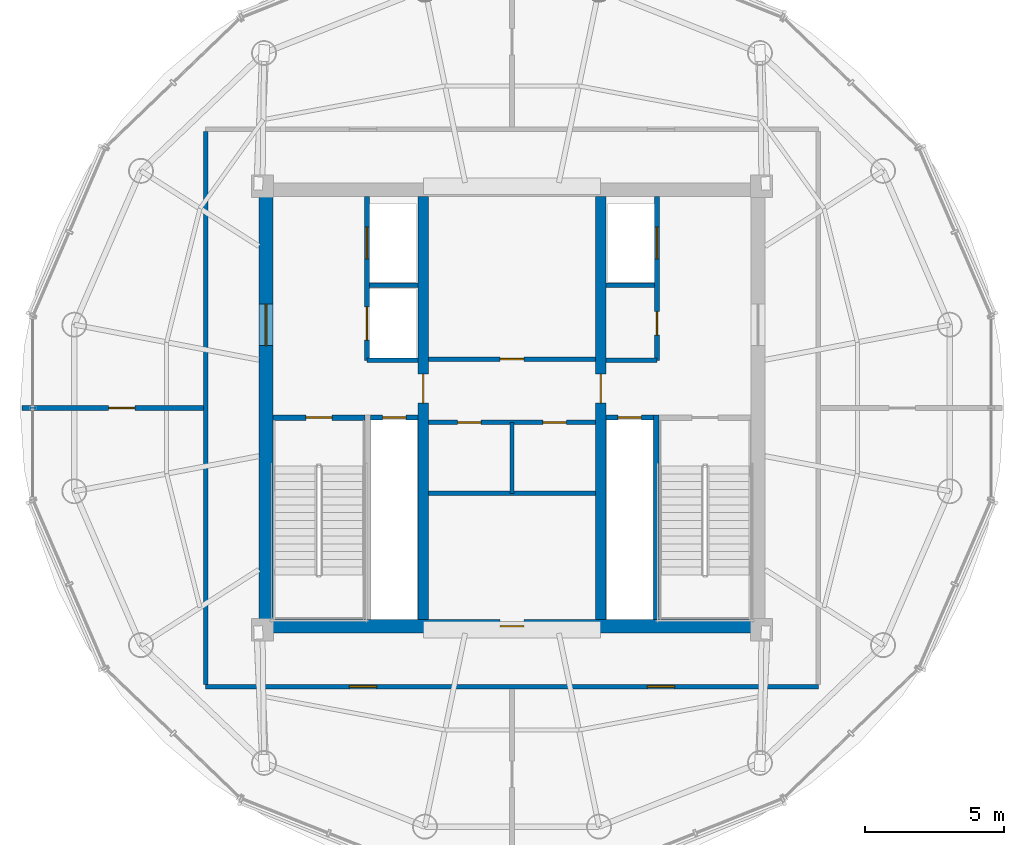
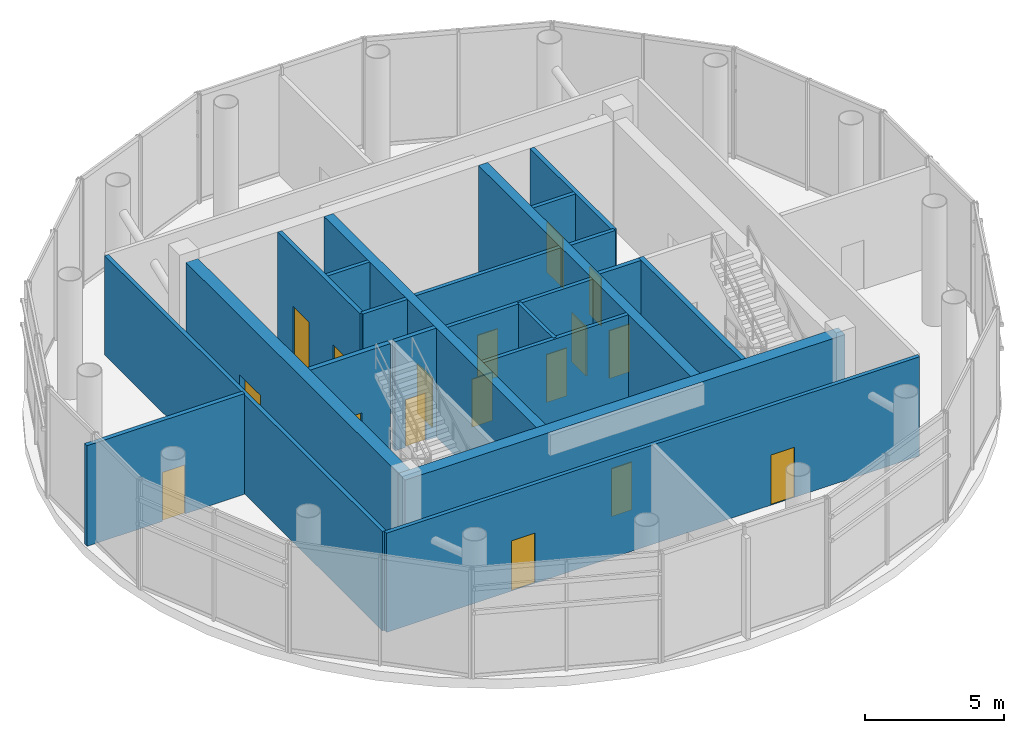
# One storey, part 12 of 15: 21 walls, 17 doors, 17 openings.
"""IFC4 building model written with IfcOpenShell, lengths in metres."""

from ifc_helpers import new_model, si_unit, direction, frame, frame_2d, origin, place, context, subcontext, project, spatial, rectangle, extrude, source, transform, mapped, material, layer, layer_set, type_object, element, fill, save


model = new_model("IFC4")

# Units and contexts
model_context = context("Model", 3, precision=1e-05, world=origin(), true_north=direction((-0.2419218956, 0.970295726276)))
body_context = subcontext(model_context, "Body", "Model", "MODEL_VIEW")
ifc_project = project(units=[si_unit("LENGTHUNIT", "METRE"), si_unit("AREAUNIT", "SQUARE_METRE"), si_unit("VOLUMEUNIT", "CUBIC_METRE"), si_unit("PLANEANGLEUNIT", "RADIAN"), si_unit("MASSUNIT", "GRAM", prefix="KILO")], contexts=[model_context])

# Site, building, storey
site_placement = place(None, origin())
site = spatial("IfcSite", under=ifc_project, at=site_placement, CompositionType="ELEMENT")
building_placement = place(site_placement, origin())
building = spatial("IfcBuilding", under=site, at=building_placement, Name="Cobrevalo Terracotta Tower", CompositionType="ELEMENT")
storey_placement = place(building_placement, frame((0.0, 0.0, 311.300048828125)))
storey = spatial("IfcBuildingStorey", under=building, at=storey_placement, Name="L81", CompositionType="ELEMENT", Elevation=311.300048828125)

# Wall, opening, door
ifc_material_1 = material(Name="Concrete C50", Category="concrete")
ifc_layer_1 = layer(ifc_material_1, 0.5)
ifc_layer_set_1 = layer_set([ifc_layer_1], Name="Concrete C50")
wall_type_1 = type_object("IfcWallType", Name="Crown core shear wall 500 mm Concrete C50", PredefinedType="SHEAR", material=ifc_layer_set_1)
wall_1_placement = place(storey_placement, frame((28.875, 18.925048828125, 0.0), z_axis=(0.0, 0.0, 1.0), x_axis=(1.0, 0.0, 0.0)))
wall_1 = element("IfcWall", 1, at=wall_1_placement, inside=storey, type_object=wall_type_1, Name="L81 south core shear wall", PredefinedType="SHEAR", context=body_context, shape_type="SweptSolid", body=[
    extrude(rectangle(XDim=18.25, YDim=0.5, at=frame_2d((9.125, 0.0))), origin(), (0.0, 0.0, 1.0), 4.780029296875),
])
opening_1_placement = place(wall_1_placement, frame((8.699951171875, 0.0, 0.0)))
opening_1 = element("IfcOpeningElement", 2, at=opening_1_placement, cuts=wall_1, Name="Opening ID-22", PredefinedType="OPENING", context=body_context, shape_type="SweptSolid", body=[
    extrude(rectangle(XDim=0.85009765625, YDim=2.10009765625, at=frame_2d((0.425048828125, 1.050048828125))), frame((0.0, 0.260009765625, 0.0), z_axis=(0.0, -1.0, 0.0), x_axis=(1.0, 0.0, 0.0)), (0.0, 0.0, 1.0), 0.52001953125),
])
ifc_material_2 = material(Name="Powder-coated steel", Category="steel")
door_type_1 = type_object("IfcDoorType", Name="Riser shaft & meter closet fire access door 850x2100 EI 60", OperationType="NOTDEFINED", PredefinedType="DOOR", material=ifc_material_2)
shared_shape_1 = source(origin(), body_context, "Body", "SweptSolid", [
    extrude(rectangle(XDim=0.85009765625, YDim=2.10009765625, at=frame_2d((0.425048828125, 1.050048828125))), frame((0.0, 0.02490234375, 0.0), z_axis=(0.0, -1.0, 0.0), x_axis=(1.0, 0.0, 0.0)), (0.0, 0.0, 1.0), 0.050048828125),
])
door_1_placement = place(opening_1_placement, origin())
door_1 = element("IfcDoor", 3, at=door_1_placement, inside=storey, type_object=door_type_1, Name="L81 core south plant door Crown Smoke Extract Fan Plant", OperationType="SINGLE_SWING_RIGHT", OverallHeight=2.10009765625, OverallWidth=0.85009765625, PredefinedType="DOOR", context=body_context, shape_type="MappedRepresentation", body=[
    mapped(shared_shape_1, transform((0.0, 0.0, 0.0), scale=1.0)),
])
fill(opening_1, door_1)

wall_2_placement = place(storey_placement, frame((29.125, 19.175048828125, 0.0), z_axis=(0.0, 0.0, 1.0), x_axis=(0.0, 1.0, 0.0)))
wall_2 = element("IfcWall", 4, at=wall_2_placement, inside=storey, type_object=wall_type_1, Name="L81 west core shear wall", PredefinedType="SHEAR", context=body_context, shape_type="SweptSolid", body=[
    extrude(rectangle(XDim=15.25, YDim=0.5, at=frame_2d((7.625, 0.0))), origin(), (0.0, 0.0, 1.0), 4.780029296875),
])
opening_2_placement = place(wall_2_placement, frame((9.875, 0.0, 0.0)))
opening_2 = element("IfcOpeningElement", 5, at=opening_2_placement, cuts=wall_2, Name="Opening ID-14", PredefinedType="OPENING", context=body_context, shape_type="SweptSolid", body=[
    extrude(rectangle(XDim=1.5, YDim=2.199951171875, at=frame_2d((0.75, 1.10009765625))), frame((0.0, 0.260009765625, 0.0), z_axis=(0.0, -1.0, 0.0), x_axis=(1.0, 0.0, 0.0)), (0.0, 0.0, 1.0), 0.52001953125),
])
ifc_material_3 = material(Name="Galvanized fire-rated steel", Category="steel")
door_type_2 = type_object("IfcDoorType", Name="Core cross-lobby double fire door 1500x2200 EI 90", OperationType="NOTDEFINED", PredefinedType="DOOR", material=ifc_material_3)
shared_shape_2 = source(origin(), body_context, "Body", "SweptSolid", [
    extrude(rectangle(XDim=1.5, YDim=2.199951171875, at=frame_2d((0.75, 1.10009765625))), frame((0.0, 0.02490234375, 0.0), z_axis=(0.0, -1.0, 0.0), x_axis=(1.0, 0.0, 0.0)), (0.0, 0.0, 1.0), 0.050048828125),
])
door_2_placement = place(opening_2_placement, origin())
door_2 = element("IfcDoor", 6, at=door_2_placement, inside=storey, type_object=door_type_2, Name="L81 west firefighting lobby entrance door", OperationType="DOUBLE_DOOR_SINGLE_SWING", OverallHeight=2.199951171875, OverallWidth=1.5, PredefinedType="DOOR", context=body_context, shape_type="MappedRepresentation", body=[
    mapped(shared_shape_2, transform((0.0, 0.0, 0.0), scale=1.0)),
])
fill(opening_2, door_2)

# Walls
ifc_material_4 = material(Name="Gypsum board on steel stud", Category="steel")
ifc_layer_2 = layer(ifc_material_4, 0.159912109375)
ifc_layer_set_2 = layer_set([ifc_layer_2], Name="Gypsum board on steel stud")
wall_type_2 = type_object("IfcWallType", Name="Fire-rated corridor acoustic partition wall 160 mm", PredefinedType="PARTITIONING", material=ifc_layer_set_2)
wall_3_placement = place(storey_placement, frame((32.860107421875, 31.219970703125, 0.0), z_axis=(0.0, 0.0, 1.0), x_axis=(1.0, 0.0, 0.0)))
element("IfcWall", 7, at=wall_3_placement, inside=storey, type_object=wall_type_2, Name="L81 interior partition IW-L81-FF1-M", PredefinedType="PARTITIONING", context=body_context, shape_type="SweptSolid", body=[
    extrude(rectangle(XDim=1.75, YDim=0.159912109375, at=frame_2d((0.875, 0.0))), origin(), (0.0, 0.0, 1.0), 4.780029296875),
])
wall_4_placement = place(storey_placement, frame((32.77001953125, 28.52001953125, 0.0), z_axis=(0.0, 0.0, 1.0), x_axis=(1.0, 0.0, 0.0)))
element("IfcWall", 8, at=wall_4_placement, inside=storey, type_object=wall_type_2, Name="L81 interior partition IW-L81-FF1-S", PredefinedType="PARTITIONING", context=body_context, shape_type="SweptSolid", body=[
    extrude(rectangle(XDim=1.840087890625, YDim=0.159912109375, at=frame_2d((0.919921875, 0.0))), origin(), (0.0, 0.0, 1.0), 4.780029296875),
])
wall_5_placement = place(storey_placement, frame((41.389892578125, 31.219970703125, 0.0), z_axis=(0.0, 0.0, 1.0), x_axis=(1.0, 0.0, 0.0)))
element("IfcWall", 9, at=wall_5_placement, inside=storey, type_object=wall_type_2, Name="L81 interior partition IW-L81-FF2-M", PredefinedType="PARTITIONING", context=body_context, shape_type="SweptSolid", body=[
    extrude(rectangle(XDim=1.75, YDim=0.159912109375, at=frame_2d((0.875, 0.0))), origin(), (0.0, 0.0, 1.0), 4.780029296875),
])
wall_6_placement = place(storey_placement, frame((41.389892578125, 28.52001953125, 0.0), z_axis=(0.0, 0.0, 1.0), x_axis=(1.0, 0.0, 0.0)))
element("IfcWall", 10, at=wall_6_placement, inside=storey, type_object=wall_type_2, Name="L81 interior partition IW-L81-FF2-S", PredefinedType="PARTITIONING", context=body_context, shape_type="SweptSolid", body=[
    extrude(rectangle(XDim=1.840087890625, YDim=0.159912109375, at=frame_2d((0.919921875, 0.0))), origin(), (0.0, 0.0, 1.0), 4.780029296875),
])

# Wall, opening, door
wall_7_placement = place(storey_placement, frame((34.989990234375, 28.56005859375, 0.0), z_axis=(0.0, 0.0, 1.0), x_axis=(1.0, 0.0, 0.0)))
wall_7 = element("IfcWall", 11, at=wall_7_placement, inside=storey, type_object=wall_type_2, Name="L81 interior partition IW-L81-LB-S", PredefinedType="PARTITIONING", context=body_context, shape_type="SweptSolid", body=[
    extrude(rectangle(XDim=6.02001953125, YDim=0.159912109375, at=frame_2d((3.010009765625, 0.0))), origin(), (0.0, 0.0, 1.0), 4.780029296875),
])
opening_3_placement = place(wall_7_placement, frame((2.5849609375, 0.0, 0.0)))
opening_3 = element("IfcOpeningElement", 12, at=opening_3_placement, cuts=wall_7, Name="Opening ID-22", PredefinedType="OPENING", context=body_context, shape_type="SweptSolid", body=[
    extrude(rectangle(XDim=0.85009765625, YDim=2.10009765625, at=frame_2d((0.425048828125, 1.050048828125))), frame((0.0, 0.08984375, 0.0), z_axis=(0.0, -1.0, 0.0), x_axis=(1.0, 0.0, 0.0)), (0.0, 0.0, 1.0), 0.179931640625),
])
door_3_placement = place(opening_3_placement, origin())
door_3 = element("IfcDoor", 13, at=door_3_placement, inside=storey, type_object=door_type_1, Name="L81 core service door Crown HV Switchroom Plant", OperationType="SINGLE_SWING_LEFT", OverallHeight=2.10009765625, OverallWidth=0.85009765625, PredefinedType="DOOR", context=body_context, shape_type="MappedRepresentation", body=[
    mapped(shared_shape_1, transform((0.0, 0.0, 0.0), scale=1.0)),
])
fill(opening_3, door_3)

# Wall, openings, doors
wall_8_placement = place(storey_placement, frame((34.989990234375, 26.280029296875, 0.0), z_axis=(0.0, 0.0, 1.0), x_axis=(1.0, 0.0, 0.0)))
wall_8 = element("IfcWall", 14, at=wall_8_placement, inside=storey, type_object=wall_type_2, Name="L81 interior partition IW-L81-MB-N", PredefinedType="PARTITIONING", context=body_context, shape_type="SweptSolid", body=[
    extrude(rectangle(XDim=6.02001953125, YDim=0.159912109375, at=frame_2d((3.010009765625, 0.0))), origin(), (0.0, 0.0, 1.0), 4.780029296875),
])
opening_4_placement = place(wall_8_placement, frame((1.044921875, 0.0, 0.0)))
opening_4 = element("IfcOpeningElement", 15, at=opening_4_placement, cuts=wall_8, Name="Opening ID-22", PredefinedType="OPENING", context=body_context, shape_type="SweptSolid", body=[
    extrude(rectangle(XDim=0.85009765625, YDim=2.10009765625, at=frame_2d((0.425048828125, 1.050048828125))), frame((0.0, 0.08984375, 0.0), z_axis=(0.0, -1.0, 0.0), x_axis=(1.0, 0.0, 0.0)), (0.0, 0.0, 1.0), 0.179931640625),
])
opening_5_placement = place(wall_8_placement, frame((4.125, 0.0, 0.0)))
opening_5 = element("IfcOpeningElement", 16, at=opening_5_placement, cuts=wall_8, Name="Opening ID-22", PredefinedType="OPENING", context=body_context, shape_type="SweptSolid", body=[
    extrude(rectangle(XDim=0.85009765625, YDim=2.10009765625, at=frame_2d((0.425048828125, 1.050048828125))), frame((0.0, 0.08984375, 0.0), z_axis=(0.0, -1.0, 0.0), x_axis=(1.0, 0.0, 0.0)), (0.0, 0.0, 1.0), 0.179931640625),
])
door_4_placement = place(opening_4_placement, frame((0.85009765625, 0.0, 0.0), z_axis=(0.0, 0.0, 1.0), x_axis=(-1.0, 0.0, 0.0)))
door_4 = element("IfcDoor", 17, at=door_4_placement, inside=storey, type_object=door_type_1, Name="L81 core room door Crown Chilled Water Pump Plant", OperationType="SINGLE_SWING_RIGHT", OverallHeight=2.10009765625, OverallWidth=0.85009765625, PredefinedType="DOOR", context=body_context, shape_type="MappedRepresentation", body=[
    mapped(shared_shape_1, transform((0.0, 0.0, 0.0), scale=1.0)),
])
fill(opening_4, door_4)
door_5_placement = place(opening_5_placement, frame((0.85009765625, 0.0, 0.0), z_axis=(0.0, 0.0, 1.0), x_axis=(-1.0, 0.0, 0.0)))
door_5 = element("IfcDoor", 18, at=door_5_placement, inside=storey, type_object=door_type_1, Name="L81 core room door Crown Lift Motor Mechanical Plant", OperationType="SINGLE_SWING_RIGHT", OverallHeight=2.10009765625, OverallWidth=0.85009765625, PredefinedType="DOOR", context=body_context, shape_type="MappedRepresentation", body=[
    mapped(shared_shape_1, transform((0.0, 0.0, 0.0), scale=1.0)),
])
fill(opening_5, door_5)

# Wall
wall_9_placement = place(storey_placement, frame((34.989990234375, 23.719970703125, 0.0), z_axis=(0.0, 0.0, 1.0), x_axis=(1.0, 0.0, 0.0)))
element("IfcWall", 19, at=wall_9_placement, inside=storey, type_object=wall_type_2, Name="L81 interior partition IW-L81-MB-S", PredefinedType="PARTITIONING", context=body_context, shape_type="SweptSolid", body=[
    extrude(rectangle(XDim=6.02001953125, YDim=0.159912109375, at=frame_2d((3.010009765625, 0.0))), origin(), (0.0, 0.0, 1.0), 4.780029296875),
])

# Wall, openings, doors
wall_10_placement = place(storey_placement, frame((26.945068359375, 16.7451171875, 0.0), z_axis=(0.0, 0.0, 1.0), x_axis=(1.0, 0.0, 0.0)))
wall_10 = element("IfcWall", 20, at=wall_10_placement, inside=storey, type_object=wall_type_2, Name="L81 interior partition IW-L81-COR-S", PredefinedType="PARTITIONING", context=body_context, shape_type="SweptSolid", body=[
    extrude(rectangle(XDim=22.10986328125, YDim=0.159912109375, at=frame_2d((11.054931640625, 0.0))), origin(), (0.0, 0.0, 1.0), 4.35205078125),
])
opening_6_placement = place(wall_10_placement, frame((5.18701171875, 0.0, 0.0)))
opening_6 = element("IfcOpeningElement", 21, at=opening_6_placement, cuts=wall_10, Name="Opening ID-05", PredefinedType="OPENING", context=body_context, shape_type="SweptSolid", body=[
    extrude(rectangle(XDim=0.97998046875, YDim=2.199951171875, at=frame_2d((0.489990234375, 1.10009765625))), frame((0.0, 0.08984375, 0.0), z_axis=(0.0, -1.0, 0.0), x_axis=(1.0, 0.0, 0.0)), (0.0, 0.0, 1.0), 0.179931640625),
])
opening_7_placement = place(wall_10_placement, frame((15.943115234375, 0.0, 0.0)))
opening_7 = element("IfcOpeningElement", 22, at=opening_7_placement, cuts=wall_10, Name="Opening ID-05", PredefinedType="OPENING", context=body_context, shape_type="SweptSolid", body=[
    extrude(rectangle(XDim=0.97998046875, YDim=2.199951171875, at=frame_2d((0.489990234375, 1.10009765625))), frame((0.0, 0.08984375, 0.0), z_axis=(0.0, -1.0, 0.0), x_axis=(1.0, 0.0, 0.0)), (0.0, 0.0, 1.0), 0.179931640625),
])
ifc_material_5 = material(Name="Solid hardwood timber", Category="wood")
door_type_3 = type_object("IfcDoorType", Name="Residence entrance fire-rated acoustic timber door 980x2200 EI 60", OperationType="NOTDEFINED", PredefinedType="DOOR", material=ifc_material_5)
shared_shape_3 = source(origin(), body_context, "Body", "SweptSolid", [
    extrude(rectangle(XDim=0.97998046875, YDim=2.199951171875, at=frame_2d((0.489990234375, 1.10009765625))), frame((0.0, 0.02490234375, 0.0), z_axis=(0.0, -1.0, 0.0), x_axis=(1.0, 0.0, 0.0)), (0.0, 0.0, 1.0), 0.050048828125),
])
door_6_placement = place(opening_6_placement, origin())
door_6 = element("IfcDoor", 23, at=door_6_placement, inside=storey, type_object=door_type_3, Name="L81 Crown Water Tank Room door", OperationType="SINGLE_SWING_RIGHT", OverallHeight=2.199951171875, OverallWidth=0.97998046875, PredefinedType="DOOR", context=body_context, shape_type="MappedRepresentation", body=[
    mapped(shared_shape_3, transform((0.0, 0.0, 0.0), scale=1.0)),
])
fill(opening_6, door_6)
door_7_placement = place(opening_7_placement, origin())
door_7 = element("IfcDoor", 24, at=door_7_placement, inside=storey, type_object=door_type_3, Name="L81 Crown Switchroom Plant door", OperationType="SINGLE_SWING_LEFT", OverallHeight=2.199951171875, OverallWidth=0.97998046875, PredefinedType="DOOR", context=body_context, shape_type="MappedRepresentation", body=[
    mapped(shared_shape_3, transform((0.0, 0.0, 0.0), scale=1.0)),
])
fill(opening_7, door_7)

# Wall
wall_11_placement = place(storey_placement, frame((26.945068359375, 16.824951171875, 0.0), z_axis=(0.0, 0.0, 1.0), x_axis=(0.0, 1.0, 0.0)))
element("IfcWall", 25, at=wall_11_placement, inside=storey, type_object=wall_type_2, Name="L81 interior partition IW-L81-COR-W", PredefinedType="PARTITIONING", context=body_context, shape_type="SweptSolid", body=[
    extrude(rectangle(XDim=19.949951171875, YDim=0.159912109375, at=frame_2d((9.97509765625, 0.0))), origin(), (0.0, 0.0, 1.0), 4.35205078125),
])

# Wall, opening, door
ifc_layer_3 = layer(ifc_material_4, 0.179931640625)
ifc_layer_set_3 = layer_set([ifc_layer_3], Name="Gypsum board on steel stud")
wall_type_3 = type_object("IfcWallType", Name="Fire-rated shaft & lobby acoustic partition wall 180 mm", PredefinedType="PARTITIONING", material=ifc_layer_set_3)
wall_12_placement = place(storey_placement, frame((32.89990234375, 26.449951171875, 0.0), z_axis=(0.0, 0.0, 1.0), x_axis=(1.0, 0.0, 0.0)))
wall_12 = element("IfcWall", 26, at=wall_12_placement, inside=storey, type_object=wall_type_3, Name="L81 interior partition IW-L81-RSW-N", PredefinedType="PARTITIONING", context=body_context, shape_type="SweptSolid", body=[
    extrude(rectangle(XDim=1.710205078125, YDim=0.179931640625, at=frame_2d((0.85498046875, 0.0))), origin(), (0.0, 0.0, 1.0), 4.780029296875),
])
opening_8_placement = place(wall_12_placement, frame((0.429931640625, 0.0, 0.0)))
opening_8 = element("IfcOpeningElement", 27, at=opening_8_placement, cuts=wall_12, Name="Opening ID-22", PredefinedType="OPENING", context=body_context, shape_type="SweptSolid", body=[
    extrude(rectangle(XDim=0.85009765625, YDim=2.10009765625, at=frame_2d((0.425048828125, 1.050048828125))), frame((0.0, 0.10009765625, 0.0), z_axis=(0.0, -1.0, 0.0), x_axis=(1.0, 0.0, 0.0)), (0.0, 0.0, 1.0), 0.199951171875),
])
door_8_placement = place(opening_8_placement, origin())
door_8 = element("IfcDoor", 28, at=door_8_placement, inside=storey, type_object=door_type_1, Name="L81 riser access door RSW", OperationType="SINGLE_SWING_LEFT", OverallHeight=2.10009765625, OverallWidth=0.85009765625, PredefinedType="DOOR", context=body_context, shape_type="MappedRepresentation", body=[
    mapped(shared_shape_1, transform((0.0, 0.0, 0.0), scale=1.0)),
])
fill(opening_8, door_8)

wall_13_placement = place(storey_placement, frame((41.389892578125, 26.449951171875, 0.0), z_axis=(0.0, 0.0, 1.0), x_axis=(1.0, 0.0, 0.0)))
wall_13 = element("IfcWall", 29, at=wall_13_placement, inside=storey, type_object=wall_type_3, Name="L81 interior partition IW-L81-RSE-N", PredefinedType="PARTITIONING", context=body_context, shape_type="SweptSolid", body=[
    extrude(rectangle(XDim=1.710205078125, YDim=0.179931640625, at=frame_2d((0.85498046875, 0.0))), origin(), (0.0, 0.0, 1.0), 4.780029296875),
])
opening_9_placement = place(wall_13_placement, frame((0.429931640625, 0.0, 0.0)))
opening_9 = element("IfcOpeningElement", 30, at=opening_9_placement, cuts=wall_13, Name="Opening ID-22", PredefinedType="OPENING", context=body_context, shape_type="SweptSolid", body=[
    extrude(rectangle(XDim=0.85009765625, YDim=2.10009765625, at=frame_2d((0.425048828125, 1.050048828125))), frame((0.0, 0.10009765625, 0.0), z_axis=(0.0, -1.0, 0.0), x_axis=(1.0, 0.0, 0.0)), (0.0, 0.0, 1.0), 0.199951171875),
])
door_9_placement = place(opening_9_placement, origin())
door_9 = element("IfcDoor", 31, at=door_9_placement, inside=storey, type_object=door_type_1, Name="L81 riser access door RSE", OperationType="SINGLE_SWING_RIGHT", OverallHeight=2.10009765625, OverallWidth=0.85009765625, PredefinedType="DOOR", context=body_context, shape_type="MappedRepresentation", body=[
    mapped(shared_shape_1, transform((0.0, 0.0, 0.0), scale=1.0)),
])
fill(opening_9, door_9)

# Wall, openings, doors
wall_14_placement = place(storey_placement, frame((32.77001953125, 28.52001953125, 0.0), z_axis=(0.0, 0.0, 1.0), x_axis=(0.0, 1.0, 0.0)))
wall_14 = element("IfcWall", 32, at=wall_14_placement, inside=storey, type_object=wall_type_3, Name="L81 interior partition IW-L81-FF1-W", PredefinedType="PARTITIONING", context=body_context, shape_type="SweptSolid", body=[
    extrude(rectangle(XDim=5.905029296875, YDim=0.179931640625, at=frame_2d((2.95263671875, 0.0))), origin(), (0.0, 0.0, 1.0), 4.780029296875),
])
opening_10_placement = place(wall_14_placement, frame((3.655029296875, 0.0, 0.0)))
opening_10 = element("IfcOpeningElement", 33, at=opening_10_placement, cuts=wall_14, Name="Opening LD-02", PredefinedType="OPENING", context=body_context, shape_type="SweptSolid", body=[
    extrude(rectangle(XDim=1.14990234375, YDim=2.199951171875, at=frame_2d((0.574951171875, 1.10009765625))), frame((0.0, 0.10009765625, 0.0), z_axis=(0.0, -1.0, 0.0), x_axis=(1.0, 0.0, 0.0)), (0.0, 0.0, 1.0), 0.199951171875),
])
opening_11_placement = place(wall_14_placement, frame((0.72998046875, 0.0, 0.0)))
opening_11 = element("IfcOpeningElement", 34, at=opening_11_placement, cuts=wall_14, Name="Opening LD-03", PredefinedType="OPENING", context=body_context, shape_type="SweptSolid", body=[
    extrude(rectangle(XDim=1.199951171875, YDim=2.25, at=frame_2d((0.60009765625, 1.125))), frame((0.0, 0.10009765625, 0.0), z_axis=(0.0, -1.0, 0.0), x_axis=(1.0, 0.0, 0.0)), (0.0, 0.0, 1.0), 0.199951171875),
])
ifc_material_6 = material(Name="Brushed stainless steel", Category="steel")
door_type_4 = type_object("IfcDoorType", Name="Firefighting lift landing bi-parting sliding door 1150x2200 EI 120", OperationType="DOUBLE_DOOR_SLIDING", PredefinedType="DOOR", material=ifc_material_6)
shared_shape_4 = source(origin(), body_context, "Body", "SweptSolid", [
    extrude(rectangle(XDim=1.14990234375, YDim=2.199951171875, at=frame_2d((0.574951171875, 1.10009765625))), frame((0.0, 0.02490234375, 0.0), z_axis=(0.0, -1.0, 0.0), x_axis=(1.0, 0.0, 0.0)), (0.0, 0.0, 1.0), 0.050048828125),
])
door_10_placement = place(opening_10_placement, origin())
door_10 = element("IfcDoor", 35, at=door_10_placement, inside=storey, type_object=door_type_4, Name="L81 lift landing door FF-1", OperationType="DOUBLE_DOOR_SLIDING", OverallHeight=2.199951171875, OverallWidth=1.14990234375, PredefinedType="DOOR", context=body_context, shape_type="MappedRepresentation", body=[
    mapped(shared_shape_4, transform((0.0, 0.0, 0.0), scale=1.0)),
])
fill(opening_10, door_10)
door_type_5 = type_object("IfcDoorType", Name="Service lift landing bi-parting sliding door 1200x2250 EI 120", OperationType="DOUBLE_DOOR_SLIDING", PredefinedType="DOOR", material=ifc_material_6)
shared_shape_5 = source(origin(), body_context, "Body", "SweptSolid", [
    extrude(rectangle(XDim=1.199951171875, YDim=2.25, at=frame_2d((0.60009765625, 1.125))), frame((0.0, 0.02490234375, 0.0), z_axis=(0.0, -1.0, 0.0), x_axis=(1.0, 0.0, 0.0)), (0.0, 0.0, 1.0), 0.050048828125),
])
door_11_placement = place(opening_11_placement, origin())
door_11 = element("IfcDoor", 36, at=door_11_placement, inside=storey, type_object=door_type_5, Name="L81 lift landing door SV-1", OperationType="DOUBLE_DOOR_SLIDING", OverallHeight=2.25, OverallWidth=1.199951171875, PredefinedType="DOOR", context=body_context, shape_type="MappedRepresentation", body=[
    mapped(shared_shape_5, transform((0.0, 0.0, 0.0), scale=1.0)),
])
fill(opening_11, door_11)

wall_15_placement = place(storey_placement, frame((43.22998046875, 28.52001953125, 0.0), z_axis=(0.0, 0.0, 1.0), x_axis=(0.0, 1.0, 0.0)))
wall_15 = element("IfcWall", 37, at=wall_15_placement, inside=storey, type_object=wall_type_3, Name="L81 interior partition IW-L81-FF2-E", PredefinedType="PARTITIONING", context=body_context, shape_type="SweptSolid", body=[
    extrude(rectangle(XDim=5.905029296875, YDim=0.179931640625, at=frame_2d((2.95263671875, 0.0))), origin(), (0.0, 0.0, 1.0), 4.780029296875),
])
opening_12_placement = place(wall_15_placement, frame((0.905029296875, 0.0, 0.0)))
opening_12 = element("IfcOpeningElement", 38, at=opening_12_placement, cuts=wall_15, Name="Opening ID-22", PredefinedType="OPENING", context=body_context, shape_type="SweptSolid", body=[
    extrude(rectangle(XDim=0.85009765625, YDim=2.10009765625, at=frame_2d((0.425048828125, 1.050048828125))), frame((0.0, 0.10009765625, 0.0), z_axis=(0.0, -1.0, 0.0), x_axis=(1.0, 0.0, 0.0)), (0.0, 0.0, 1.0), 0.199951171875),
])
opening_13_placement = place(wall_15_placement, frame((3.655029296875, 0.0, 0.0)))
opening_13 = element("IfcOpeningElement", 39, at=opening_13_placement, cuts=wall_15, Name="Opening LD-02", PredefinedType="OPENING", context=body_context, shape_type="SweptSolid", body=[
    extrude(rectangle(XDim=1.14990234375, YDim=2.199951171875, at=frame_2d((0.574951171875, 1.10009765625))), frame((0.0, 0.10009765625, 0.0), z_axis=(0.0, -1.0, 0.0), x_axis=(1.0, 0.0, 0.0)), (0.0, 0.0, 1.0), 0.199951171875),
])
door_12_placement = place(opening_12_placement, frame((0.85009765625, 0.0, 0.0), z_axis=(0.0, 0.0, 1.0), x_axis=(-1.0, 0.0, 0.0)))
door_12 = element("IfcDoor", 40, at=door_12_placement, inside=storey, type_object=door_type_1, Name="L81 housekeeping store door", OperationType="SINGLE_SWING_RIGHT", OverallHeight=2.10009765625, OverallWidth=0.85009765625, PredefinedType="DOOR", context=body_context, shape_type="MappedRepresentation", body=[
    mapped(shared_shape_1, transform((0.0, 0.0, 0.0), scale=1.0)),
])
fill(opening_12, door_12)
door_13_placement = place(opening_13_placement, origin())
door_13 = element("IfcDoor", 41, at=door_13_placement, inside=storey, type_object=door_type_4, Name="L81 lift landing door FF-2", OperationType="DOUBLE_DOOR_SLIDING", OverallHeight=2.199951171875, OverallWidth=1.14990234375, PredefinedType="DOOR", context=body_context, shape_type="MappedRepresentation", body=[
    mapped(shared_shape_4, transform((0.0, 0.0, 0.0), scale=1.0)),
])
fill(opening_13, door_13)

# Wall, opening, door
wall_16_placement = place(storey_placement, frame((26.863037109375, 26.800048828125, 0.0), z_axis=(0.0, 0.0, 1.0), x_axis=(-1.0, 0.0, 0.0)))
wall_16 = element("IfcWall", 42, at=wall_16_placement, inside=storey, type_object=wall_type_3, Name="L81 interior partition IW-L81-CW3", PredefinedType="PARTITIONING", context=body_context, shape_type="SweptSolid", body=[
    extrude(rectangle(XDim=6.532958984375, YDim=0.179931640625, at=frame_2d((3.2666015625, 0.0))), origin(), (0.0, 0.0, 1.0), 4.410888671875),
])
opening_14_placement = place(wall_16_placement, frame((2.46484375, 0.0, 0.0)))
opening_14 = element("IfcOpeningElement", 43, at=opening_14_placement, cuts=wall_16, Name="Opening ID-04", PredefinedType="OPENING", context=body_context, shape_type="SweptSolid", body=[
    extrude(rectangle(XDim=0.949951171875, YDim=2.14990234375, at=frame_2d((0.47509765625, 1.074951171875))), frame((0.0, 0.10009765625, 0.0), z_axis=(0.0, -1.0, 0.0), x_axis=(1.0, 0.0, 0.0)), (0.0, 0.0, 1.0), 0.199951171875),
])
door_type_6 = type_object("IfcDoorType", Name="Stair & firefighting lobby fire door 950x2150 EI 90", OperationType="NOTDEFINED", PredefinedType="DOOR", material=ifc_material_3)
shared_shape_6 = source(origin(), body_context, "Body", "SweptSolid", [
    extrude(rectangle(XDim=0.949951171875, YDim=2.14990234375, at=frame_2d((0.47509765625, 1.074951171875))), frame((0.0, 0.02490234375, 0.0), z_axis=(0.0, -1.0, 0.0), x_axis=(1.0, 0.0, 0.0)), (0.0, 0.0, 1.0), 0.050048828125),
])
door_14_placement = place(opening_14_placement, origin())
door_14 = element("IfcDoor", 44, at=door_14_placement, inside=storey, type_object=door_type_6, Name="L81 crown plant interconnecting fire door 3", OperationType="SINGLE_SWING_LEFT", OverallHeight=2.14990234375, OverallWidth=0.949951171875, PredefinedType="DOOR", context=body_context, shape_type="MappedRepresentation", body=[
    mapped(shared_shape_6, transform((0.0, 0.0, 0.0), scale=1.0)),
])
fill(opening_14, door_14)

ifc_layer_4 = layer(ifc_material_1, 0.3798828125)
ifc_layer_set_4 = layer_set([ifc_layer_4], Name="Concrete C50")
wall_type_4 = type_object("IfcWallType", Name="Internal core shear web wall 380 mm Concrete C50", PredefinedType="SHEAR", material=ifc_layer_set_4)
wall_17_placement = place(storey_placement, frame((34.800048828125, 19.175048828125, 0.0), z_axis=(0.0, 0.0, 1.0), x_axis=(0.0, 1.0, 0.0)))
wall_17 = element("IfcWall", 45, at=wall_17_placement, inside=storey, type_object=wall_type_4, Name="L81 internal core shear wall WEB-W", PredefinedType="SHEAR", context=body_context, shape_type="SweptSolid", body=[
    extrude(rectangle(XDim=15.25, YDim=0.3798828125, at=frame_2d((7.625, 0.0))), origin(), (0.0, 0.0, 1.0), 4.780029296875),
])
opening_15_placement = place(wall_17_placement, frame((7.800048828125, 0.0, 0.0)))
opening_15 = element("IfcOpeningElement", 46, at=opening_15_placement, cuts=wall_17, Name="Opening ID-11", PredefinedType="OPENING", context=body_context, shape_type="SweptSolid", body=[
    extrude(rectangle(XDim=1.050048828125, YDim=2.14990234375, at=frame_2d((0.52490234375, 1.074951171875))), frame((0.0, 0.199951171875, 0.0), z_axis=(0.0, -1.0, 0.0), x_axis=(1.0, 0.0, 0.0)), (0.0, 0.0, 1.0), 0.39990234375),
])
door_type_7 = type_object("IfcDoorType", Name="Core concourse cross fire door 1050x2150 EI 90", OperationType="NOTDEFINED", PredefinedType="DOOR", material=ifc_material_3)
shared_shape_7 = source(origin(), body_context, "Body", "SweptSolid", [
    extrude(rectangle(XDim=1.050048828125, YDim=2.14990234375, at=frame_2d((0.52490234375, 1.074951171875))), frame((0.0, 0.02490234375, 0.0), z_axis=(0.0, -1.0, 0.0), x_axis=(1.0, 0.0, 0.0)), (0.0, 0.0, 1.0), 0.050048828125),
])
door_15_placement = place(opening_15_placement, origin())
door_15 = element("IfcDoor", 47, at=door_15_placement, inside=storey, type_object=door_type_7, Name="L81 west core concourse cross door", OperationType="SINGLE_SWING_LEFT", OverallHeight=2.14990234375, OverallWidth=1.050048828125, PredefinedType="DOOR", context=body_context, shape_type="MappedRepresentation", body=[
    mapped(shared_shape_7, transform((0.0, 0.0, 0.0), scale=1.0)),
])
fill(opening_15, door_15)

wall_18_placement = place(storey_placement, frame((41.199951171875, 19.175048828125, 0.0), z_axis=(0.0, 0.0, 1.0), x_axis=(0.0, 1.0, 0.0)))
wall_18 = element("IfcWall", 48, at=wall_18_placement, inside=storey, type_object=wall_type_4, Name="L81 internal core shear wall WEB-E", PredefinedType="SHEAR", context=body_context, shape_type="SweptSolid", body=[
    extrude(rectangle(XDim=15.25, YDim=0.3798828125, at=frame_2d((7.625, 0.0))), origin(), (0.0, 0.0, 1.0), 4.780029296875),
])
opening_16_placement = place(wall_18_placement, frame((7.800048828125, 0.0, 0.0)))
opening_16 = element("IfcOpeningElement", 49, at=opening_16_placement, cuts=wall_18, Name="Opening ID-11", PredefinedType="OPENING", context=body_context, shape_type="SweptSolid", body=[
    extrude(rectangle(XDim=1.050048828125, YDim=2.14990234375, at=frame_2d((0.52490234375, 1.074951171875))), frame((0.0, 0.199951171875, 0.0), z_axis=(0.0, -1.0, 0.0), x_axis=(1.0, 0.0, 0.0)), (0.0, 0.0, 1.0), 0.39990234375),
])
door_16_placement = place(opening_16_placement, frame((1.050048828125, 0.0, 0.0), z_axis=(0.0, 0.0, 1.0), x_axis=(-1.0, 0.0, 0.0)))
door_16 = element("IfcDoor", 50, at=door_16_placement, inside=storey, type_object=door_type_7, Name="L81 east core concourse cross door", OperationType="SINGLE_SWING_RIGHT", OverallHeight=2.14990234375, OverallWidth=1.050048828125, PredefinedType="DOOR", context=body_context, shape_type="MappedRepresentation", body=[
    mapped(shared_shape_7, transform((0.0, 0.0, 0.0), scale=1.0)),
])
fill(opening_16, door_16)

# Wall
ifc_material_7 = material(Name="Autoclaved aerated concrete block", Category="concrete")
ifc_layer_5 = layer(ifc_material_7, 0.139892578125)
ifc_layer_set_5 = layer_set([ifc_layer_5], Name="Autoclaved aerated concrete block")
wall_type_5 = type_object("IfcWallType", Name="Moisture-resistant wet-room & core service partition 140 mm", PredefinedType="PARTITIONING", material=ifc_layer_set_5)
wall_19_placement = place(storey_placement, frame((38.0, 23.719970703125, 0.0), z_axis=(0.0, 0.0, 1.0), x_axis=(0.0, 1.0, 0.0)))
element("IfcWall", 51, at=wall_19_placement, inside=storey, type_object=wall_type_5, Name="L81 interior partition IW-L81-MB-D2", PredefinedType="PARTITIONING", context=body_context, shape_type="SweptSolid", body=[
    extrude(rectangle(XDim=2.56005859375, YDim=0.139892578125, at=frame_2d((1.280029296875, 0.0))), origin(), (0.0, 0.0, 1.0), 4.780029296875),
])

# Wall, opening, door
ifc_layer_6 = layer(ifc_material_1, 0.199951171875)
ifc_layer_set_6 = layer_set([ifc_layer_6], Name="Concrete C50")
wall_type_6 = type_object("IfcWallType", Name="Structural core & podium stair-shaft RC wall 200 mm Concrete C50", PredefinedType="SOLIDWALL", material=ifc_layer_set_6)
wall_20_placement = place(storey_placement, frame((29.375, 26.449951171875, 0.0), z_axis=(0.0, 0.0, 1.0), x_axis=(1.0, 0.0, 0.0)))
wall_20 = element("IfcWall", 52, at=wall_20_placement, inside=storey, type_object=wall_type_6, Name="L81 ST-1 north structural shaft wall", PredefinedType="SOLIDWALL", context=body_context, shape_type="SweptSolid", body=[
    extrude(rectangle(XDim=3.320068359375, YDim=0.199951171875, at=frame_2d((1.66015625, 0.0))), origin(), (0.0, 0.0, 1.0), 4.780029296875),
])
opening_17_placement = place(wall_20_placement, frame((1.18505859375, 0.0, 0.0)))
opening_17 = element("IfcOpeningElement", 53, at=opening_17_placement, cuts=wall_20, Name="Opening ID-04", PredefinedType="OPENING", context=body_context, shape_type="SweptSolid", body=[
    extrude(rectangle(XDim=0.949951171875, YDim=2.14990234375, at=frame_2d((0.47509765625, 1.074951171875))), frame((0.0, 0.10986328125, 0.0), z_axis=(0.0, -1.0, 0.0), x_axis=(1.0, 0.0, 0.0)), (0.0, 0.0, 1.0), 0.219970703125),
])
door_17_placement = place(opening_17_placement, origin())
door_17 = element("IfcDoor", 54, at=door_17_placement, inside=storey, type_object=door_type_6, Name="L81 protected stair ST1 fire door", OperationType="SINGLE_SWING_LEFT", OverallHeight=2.14990234375, OverallWidth=0.949951171875, PredefinedType="DOOR", context=body_context, shape_type="MappedRepresentation", body=[
    mapped(shared_shape_6, transform((0.0, 0.0, 0.0), scale=1.0)),
])
fill(opening_17, door_17)

# Wall
wall_21_placement = place(storey_placement, frame((43.205078125, 19.175048828125, 0.0), z_axis=(0.0, 0.0, 1.0), x_axis=(0.0, 1.0, 0.0)))
element("IfcWall", 55, at=wall_21_placement, inside=storey, type_object=wall_type_6, Name="L81 ST-2 west structural shaft wall", PredefinedType="SOLIDWALL", context=body_context, shape_type="SweptSolid", body=[
    extrude(rectangle(XDim=7.375, YDim=0.199951171875, at=frame_2d((3.6875, 0.0))), origin(), (0.0, 0.0, 1.0), 4.780029296875),
])

save(model, "model.ifc")
